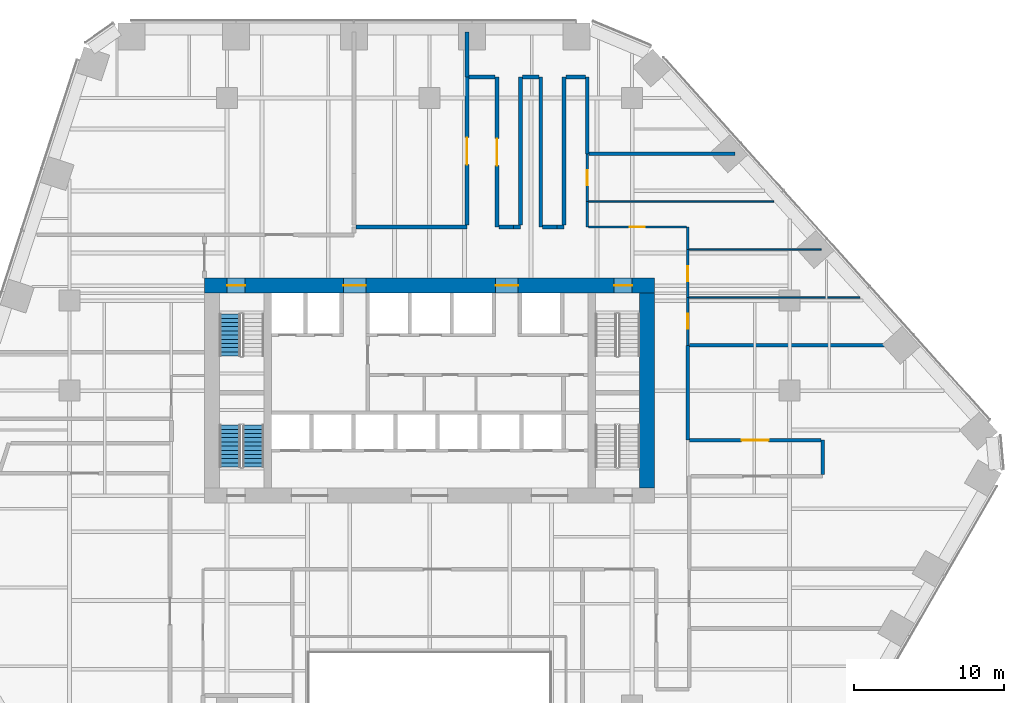
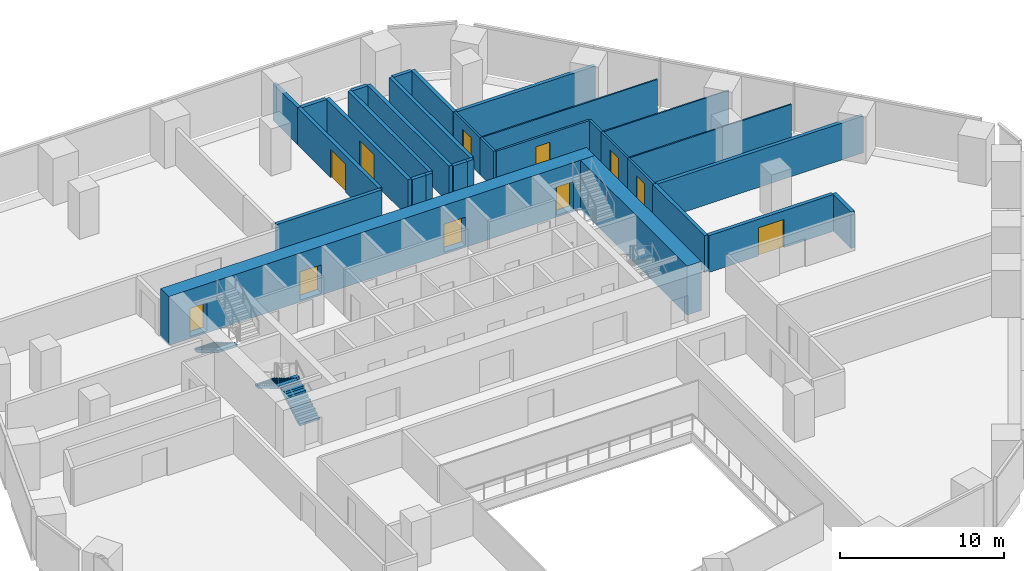
# One storey, part 16 of 21: 31 walls, 11 doors, 3 stair flights, 11 openings, 2 elements without a shape of their own.
"""IFC4 building model written with IfcOpenShell, lengths in metres."""

from ifc_helpers import new_model, si_unit, direction, frame, frame_2d, origin, place, context, subcontext, project, spatial, polyline, rectangle, outline, extrude, material, layer, layer_set, type_object, element, fill, aggregate, save


model = new_model("IFC4")

# Units and contexts
model_context = context("Model", 3, precision=1e-05, world=origin(), true_north=direction((0.0, 1.0)))
body_context = subcontext(model_context, "Body", "Model", "MODEL_VIEW")
ifc_project = project(units=[si_unit("LENGTHUNIT", "METRE"), si_unit("AREAUNIT", "SQUARE_METRE"), si_unit("VOLUMEUNIT", "CUBIC_METRE"), si_unit("PLANEANGLEUNIT", "RADIAN"), si_unit("MASSUNIT", "GRAM", prefix="KILO")], contexts=[model_context])

# Site, building, storey
site_placement = place(None, origin())
site = spatial("IfcSite", under=ifc_project, at=site_placement, CompositionType="ELEMENT")
building_placement = place(site_placement, origin())
building = spatial("IfcBuilding", under=site, at=building_placement, Name="Isthmus Gate Tower", CompositionType="ELEMENT")
storey_placement = place(building_placement, frame((0.0, 0.0, 50.60009765625)))
storey = spatial("IfcBuildingStorey", under=building, at=storey_placement, Name="L10", CompositionType="ELEMENT", Elevation=50.60009765625)

# Wall, opening, door
ifc_material_1 = material(Name="Double-leaf acoustic stud wall, fire-rated", Category="gypsum")
ifc_layer_1 = layer(ifc_material_1, 0.25)
ifc_layer_set_1 = layer_set([ifc_layer_1], Name="ACOUSTIC WALL 250 60 MIN")
wall_type_1 = type_object("IfcWallType", Name="ACOUSTIC WALL 250 60 MIN", PredefinedType="PARTITIONING", material=ifc_layer_set_1)
wall_1_placement = place(storey_placement, frame((4.5, 28.39990234375, 0.0), z_axis=(0.0, 0.0, 1.0), x_axis=(0.0, -1.0, 0.0)))
wall_1 = element("IfcWall", 1, at=wall_1_placement, inside=storey, type_object=wall_type_1, Name="L10 Acoustic Wall 250 60 Min", PredefinedType="PARTITIONING", context=body_context, shape_type="SweptSolid", body=[
    extrude(rectangle(XDim=10.0, YDim=0.25, at=frame_2d((5.0, 0.0))), origin(), (0.0, 0.0, 1.0), 2.7412109375),
])
opening_1_placement = place(wall_1_placement, frame((4.10009765625, 0.0, 0.0)))
opening_1 = element("IfcOpeningElement", 2, at=opening_1_placement, cuts=wall_1, Name="Opening DT-T1B-03", PredefinedType="OPENING", context=body_context, shape_type="SweptSolid", body=[
    extrude(rectangle(XDim=1.800048828125, YDim=2.10009765625, at=frame_2d((0.89990234375, 1.050048828125))), frame((0.0, 0.135009765625, 0.0), z_axis=(0.0, -1.0, 0.0), x_axis=(1.0, 0.0, 0.0)), (0.0, 0.0, 1.0), 0.27001953125),
])
ifc_material_2 = material(Name="Solid core timber door leaf, fire-rated", Category="wood")
door_type_1 = type_object("IfcDoorType", Name="FIRE DOOR ACOUSTIC ROOM 1800 X 2100 60 MIN", OperationType="DOUBLE_DOOR_DOUBLE_SWING", PredefinedType="DOOR", material=ifc_material_2)
door_1_placement = place(opening_1_placement, origin())
door_1 = element("IfcDoor", 3, at=door_1_placement, inside=storey, type_object=door_type_1, Name="L10 room door", OperationType="DOUBLE_DOOR_DOUBLE_SWING", OverallHeight=2.10009765625, OverallWidth=1.800048828125, PredefinedType="DOOR", context=body_context, shape_type="SweptSolid", body=[
    extrude(rectangle(XDim=1.800048828125, YDim=2.10009765625, at=frame_2d((0.89990234375, 1.050048828125))), frame((0.0, 0.02490234375, 0.0), z_axis=(0.0, -1.0, 0.0), x_axis=(1.0, 0.0, 0.0)), (0.0, 0.0, 1.0), 0.050048828125),
])
fill(opening_1, door_1)

# Walls
wall_2_placement = place(storey_placement, frame((7.39990234375, 28.39990234375, 0.0), z_axis=(0.0, 0.0, 1.0), x_axis=(0.0, -1.0, 0.0)))
element("IfcWall", 4, at=wall_2_placement, inside=storey, type_object=wall_type_1, Name="L10 Acoustic Wall 250 60 Min", PredefinedType="PARTITIONING", context=body_context, shape_type="SweptSolid", body=[
    extrude(rectangle(XDim=10.0, YDim=0.25, at=frame_2d((5.0, 0.0))), origin(), (0.0, 0.0, 1.0), 2.7412109375),
])
wall_3_placement = place(storey_placement, frame((10.5, 28.39990234375, 0.0), z_axis=(0.0, 0.0, 1.0), x_axis=(0.0, -1.0, 0.0)))
element("IfcWall", 5, at=wall_3_placement, inside=storey, type_object=wall_type_1, Name="L10 Acoustic Wall 250 60 Min", PredefinedType="PARTITIONING", context=body_context, shape_type="SweptSolid", body=[
    extrude(rectangle(XDim=5.116943359375, YDim=0.25, at=frame_2d((2.55859375, 0.0))), origin(), (0.0, 0.0, 1.0), 2.7412109375),
])
wall_4_placement = place(storey_placement, frame((17.199951171875, 10.51708984375, 0.0), z_axis=(0.0, 0.0, 1.0), x_axis=(0.0, -1.0, 0.0)))
element("IfcWall", 6, at=wall_4_placement, inside=storey, type_object=wall_type_1, Name="L10 Acoustic Wall 250 60 Min", PredefinedType="PARTITIONING", context=body_context, shape_type="SweptSolid", body=[
    extrude(rectangle(XDim=6.317138671875, YDim=0.25, at=frame_2d((3.15869140625, 0.0))), origin(), (0.0, 0.0, 1.0), 2.7412109375),
])
wall_5_placement = place(storey_placement, frame((26.199951171875, 4.199951171875, 0.0), z_axis=(0.0, 0.0, 1.0), x_axis=(0.0, -1.0, 0.0)))
element("IfcWall", 7, at=wall_5_placement, inside=storey, type_object=wall_type_1, Name="L10 Acoustic Wall 250 60 Min", PredefinedType="PARTITIONING", context=body_context, shape_type="SweptSolid", body=[
    extrude(rectangle(XDim=2.27490234375, YDim=0.25, at=frame_2d((1.137451171875, 0.0))), origin(), (0.0, 0.0, 1.0), 2.7412109375),
])
wall_6_placement = place(storey_placement, frame((-4.909912109375, 18.39990234375, 0.0), z_axis=(0.0, 0.0, 1.0), x_axis=(1.0, 0.0, 0.0)))
element("IfcWall", 8, at=wall_6_placement, inside=storey, type_object=wall_type_1, Name="L10 Acoustic Wall 250 60 Min", PredefinedType="PARTITIONING", context=body_context, shape_type="SweptSolid", body=[
    extrude(rectangle(XDim=7.409912109375, YDim=0.25, at=frame_2d((3.705078125, 0.0))), origin(), (0.0, 0.0, 1.0), 2.7412109375),
])

# Wall, opening, door
wall_7_placement = place(storey_placement, frame((2.5, 18.52490234375, 0.0), z_axis=(0.0, 0.0, 1.0), x_axis=(0.0, 1.0, 0.0)))
wall_7 = element("IfcWall", 9, at=wall_7_placement, inside=storey, type_object=wall_type_1, Name="L10 Acoustic Wall 250 60 Min", PredefinedType="PARTITIONING", context=body_context, shape_type="SweptSolid", body=[
    extrude(rectangle(XDim=9.875, YDim=0.25, at=frame_2d((4.9375, 0.0))), origin(), (0.0, 0.0, 1.0), 2.7412109375),
])
opening_2_placement = place(wall_7_placement, frame((4.03759765625, 0.0, 0.0)))
opening_2 = element("IfcOpeningElement", 10, at=opening_2_placement, cuts=wall_7, Name="Opening DT-T1B-02", PredefinedType="OPENING", context=body_context, shape_type="SweptSolid", body=[
    extrude(rectangle(XDim=1.800048828125, YDim=2.10009765625, at=frame_2d((0.89990234375, 1.050048828125))), frame((0.0, 0.135009765625, 0.0), z_axis=(0.0, -1.0, 0.0), x_axis=(1.0, 0.0, 0.0)), (0.0, 0.0, 1.0), 0.27001953125),
])
door_2_placement = place(opening_2_placement, origin())
door_2 = element("IfcDoor", 11, at=door_2_placement, inside=storey, type_object=door_type_1, Name="L10 room door", OperationType="DOUBLE_DOOR_DOUBLE_SWING", OverallHeight=2.10009765625, OverallWidth=1.800048828125, PredefinedType="DOOR", context=body_context, shape_type="SweptSolid", body=[
    extrude(rectangle(XDim=1.800048828125, YDim=2.10009765625, at=frame_2d((0.89990234375, 1.050048828125))), frame((0.0, 0.02490234375, 0.0), z_axis=(0.0, -1.0, 0.0), x_axis=(1.0, 0.0, 0.0)), (0.0, 0.0, 1.0), 0.050048828125),
])
fill(opening_2, door_2)

# Walls
wall_8_placement = place(storey_placement, frame((2.498046875, 28.39990234375, 0.0), z_axis=(0.0, 0.0, 1.0), x_axis=(0.0, 1.0, 0.0)))
element("IfcWall", 12, at=wall_8_placement, inside=storey, type_object=wall_type_1, Name="L10 Acoustic Wall 250 60 Min", PredefinedType="PARTITIONING", context=body_context, shape_type="SweptSolid", body=[
    extrude(rectangle(XDim=3.0, YDim=0.25, at=frame_2d((1.5, 0.0))), origin(), (0.0, 0.0, 1.0), 2.7412109375),
])
wall_9_placement = place(storey_placement, frame((2.625, 28.39990234375, 0.0), z_axis=(0.0, 0.0, 1.0), x_axis=(1.0, 0.0, 0.0)))
element("IfcWall", 13, at=wall_9_placement, inside=storey, type_object=wall_type_1, Name="L10 Acoustic Wall 250 60 Min", PredefinedType="PARTITIONING", context=body_context, shape_type="SweptSolid", body=[
    extrude(rectangle(XDim=1.75, YDim=0.25, at=frame_2d((0.875, 0.0))), origin(), (0.0, 0.0, 1.0), 2.7412109375),
])
wall_10_placement = place(storey_placement, frame((4.625, 18.39990234375, 0.0), z_axis=(0.0, 0.0, 1.0), x_axis=(1.0, 0.0, 0.0)))
element("IfcWall", 14, at=wall_10_placement, inside=storey, type_object=wall_type_1, Name="L10 Acoustic Wall 250 60 Min", PredefinedType="PARTITIONING", context=body_context, shape_type="SweptSolid", body=[
    extrude(rectangle(XDim=0.972900390625, YDim=0.25, at=frame_2d((0.486328125, 0.0))), origin(), (0.0, 0.0, 1.0), 2.7412109375),
])
wall_11_placement = place(storey_placement, frame((5.597900390625, 18.39794921875, 0.0), z_axis=(0.0, 0.0, 1.0), x_axis=(1.0, 0.0, 0.0)))
element("IfcWall", 15, at=wall_11_placement, inside=storey, type_object=wall_type_1, Name="L10 Acoustic Wall 250 60 Min", PredefinedType="PARTITIONING", context=body_context, shape_type="SweptSolid", body=[
    extrude(rectangle(XDim=0.4541015625, YDim=0.25, at=frame_2d((0.22705078125, 0.0))), origin(), (0.0, 0.0, 1.0), 2.7412109375),
])
wall_12_placement = place(storey_placement, frame((6.052001953125, 18.52294921875, 0.0), z_axis=(0.0, 0.0, 1.0), x_axis=(0.0, 1.0, 0.0)))
element("IfcWall", 16, at=wall_12_placement, inside=storey, type_object=wall_type_1, Name="L10 Acoustic Wall 250 60 Min", PredefinedType="PARTITIONING", context=body_context, shape_type="SweptSolid", body=[
    extrude(rectangle(XDim=9.876953125, YDim=0.25, at=frame_2d((4.9384765625, 0.0))), origin(), (0.0, 0.0, 1.0), 2.7412109375),
])
wall_13_placement = place(storey_placement, frame((6.177001953125, 28.39990234375, 0.0), z_axis=(0.0, 0.0, 1.0), x_axis=(1.0, 0.0, 0.0)))
element("IfcWall", 17, at=wall_13_placement, inside=storey, type_object=wall_type_1, Name="L10 Acoustic Wall 250 60 Min", PredefinedType="PARTITIONING", context=body_context, shape_type="SweptSolid", body=[
    extrude(rectangle(XDim=1.097900390625, YDim=0.25, at=frame_2d((0.548828125, 0.0))), origin(), (0.0, 0.0, 1.0), 2.7412109375),
])
wall_14_placement = place(storey_placement, frame((7.52490234375, 18.39990234375, 0.0), z_axis=(0.0, 0.0, 1.0), x_axis=(1.0, 0.0, 0.0)))
element("IfcWall", 18, at=wall_14_placement, inside=storey, type_object=wall_type_1, Name="L10 Acoustic Wall 250 60 Min", PredefinedType="PARTITIONING", context=body_context, shape_type="SweptSolid", body=[
    extrude(rectangle(XDim=0.97314453125, YDim=0.25, at=frame_2d((0.486572265625, 0.0))), origin(), (0.0, 0.0, 1.0), 2.7412109375),
])
wall_15_placement = place(storey_placement, frame((8.498046875, 18.39794921875, 0.0), z_axis=(0.0, 0.0, 1.0), x_axis=(1.0, 0.0, 0.0)))
element("IfcWall", 19, at=wall_15_placement, inside=storey, type_object=wall_type_1, Name="L10 Acoustic Wall 250 60 Min", PredefinedType="PARTITIONING", context=body_context, shape_type="SweptSolid", body=[
    extrude(rectangle(XDim=0.453857421875, YDim=0.25, at=frame_2d((0.22705078125, 0.0))), origin(), (0.0, 0.0, 1.0), 2.7412109375),
])
wall_16_placement = place(storey_placement, frame((8.951904296875, 18.52294921875, 0.0), z_axis=(0.0, 0.0, 1.0), x_axis=(0.0, 1.0, 0.0)))
element("IfcWall", 20, at=wall_16_placement, inside=storey, type_object=wall_type_1, Name="L10 Acoustic Wall 250 60 Min", PredefinedType="PARTITIONING", context=body_context, shape_type="SweptSolid", body=[
    extrude(rectangle(XDim=9.876953125, YDim=0.25, at=frame_2d((4.9384765625, 0.0))), origin(), (0.0, 0.0, 1.0), 2.7412109375),
])
wall_17_placement = place(storey_placement, frame((9.076904296875, 28.39990234375, 0.0), z_axis=(0.0, 0.0, 1.0), x_axis=(1.0, 0.0, 0.0)))
element("IfcWall", 21, at=wall_17_placement, inside=storey, type_object=wall_type_1, Name="L10 Acoustic Wall 250 60 Min", PredefinedType="PARTITIONING", context=body_context, shape_type="SweptSolid", body=[
    extrude(rectangle(XDim=1.298095703125, YDim=0.25, at=frame_2d((0.64892578125, 0.0))), origin(), (0.0, 0.0, 1.0), 2.7412109375),
])
wall_18_placement = place(storey_placement, frame((10.625, 23.282958984375, 0.0), z_axis=(0.0, 0.0, 1.0), x_axis=(1.0, 0.0, 0.0)))
element("IfcWall", 22, at=wall_18_placement, inside=storey, type_object=wall_type_1, Name="L10 Acoustic Wall 250 60 Min", PredefinedType="PARTITIONING", context=body_context, shape_type="SweptSolid", body=[
    extrude(rectangle(XDim=9.721923828125, YDim=0.25, at=frame_2d((4.86083984375, 0.0))), origin(), (0.0, 0.0, 1.0), 2.7412109375),
])
wall_19_placement = place(storey_placement, frame((17.324951171875, 10.51708984375, 0.0), z_axis=(0.0, 0.0, 1.0), x_axis=(1.0, 0.0, 0.0)))
element("IfcWall", 23, at=wall_19_placement, inside=storey, type_object=wall_type_1, Name="L10 Acoustic Wall 250 60 Min", PredefinedType="PARTITIONING", context=body_context, shape_type="SweptSolid", body=[
    extrude(rectangle(XDim=14.51708984375, YDim=0.25, at=frame_2d((7.258544921875, 0.0))), origin(), (0.0, 0.0, 1.0), 2.7412109375),
])

# Wall, opening, door
wall_20_placement = place(storey_placement, frame((17.324951171875, 4.199951171875, 0.0), z_axis=(0.0, 0.0, 1.0), x_axis=(1.0, 0.0, 0.0)))
wall_20 = element("IfcWall", 24, at=wall_20_placement, inside=storey, type_object=wall_type_1, Name="L10 Acoustic Wall 250 60 Min", PredefinedType="PARTITIONING", context=body_context, shape_type="SweptSolid", body=[
    extrude(rectangle(XDim=8.75, YDim=0.25, at=frame_2d((4.375, 0.0))), origin(), (0.0, 0.0, 1.0), 2.7412109375),
])
opening_3_placement = place(wall_20_placement, frame((3.47509765625, 0.0, 0.0)))
opening_3 = element("IfcOpeningElement", 25, at=opening_3_placement, cuts=wall_20, Name="Opening DT-T1B-11", PredefinedType="OPENING", context=body_context, shape_type="SweptSolid", body=[
    extrude(rectangle(XDim=1.800048828125, YDim=2.10009765625, at=frame_2d((0.89990234375, 1.050048828125))), frame((0.0, 0.135009765625, 0.0), z_axis=(0.0, -1.0, 0.0), x_axis=(1.0, 0.0, 0.0)), (0.0, 0.0, 1.0), 0.27001953125),
])
door_3_placement = place(opening_3_placement, origin())
door_3 = element("IfcDoor", 26, at=door_3_placement, inside=storey, type_object=door_type_1, Name="L10 room door", OperationType="DOUBLE_DOOR_DOUBLE_SWING", OverallHeight=2.10009765625, OverallWidth=1.800048828125, PredefinedType="DOOR", context=body_context, shape_type="SweptSolid", body=[
    extrude(rectangle(XDim=1.800048828125, YDim=2.10009765625, at=frame_2d((0.89990234375, 1.050048828125))), frame((0.0, 0.02490234375, 0.0), z_axis=(0.0, -1.0, 0.0), x_axis=(1.0, 0.0, 0.0)), (0.0, 0.0, 1.0), 0.050048828125),
])
fill(opening_3, door_3)

ifc_material_3 = material(Name="Gypsum board on steel studs, fire-rated", Category="steel")
ifc_layer_2 = layer(ifc_material_3, 0.14990234375)
ifc_layer_set_2 = layer_set([ifc_layer_2], Name="CORRIDOR WALL 150 60 MIN")
wall_type_2 = type_object("IfcWallType", Name="CORRIDOR WALL 150 60 MIN", PredefinedType="PARTITIONING", material=ifc_layer_set_2)
wall_21_placement = place(storey_placement, frame((10.5, 23.282958984375, 0.0), z_axis=(0.0, 0.0, 1.0), x_axis=(0.0, -1.0, 0.0)))
wall_21 = element("IfcWall", 27, at=wall_21_placement, inside=storey, type_object=wall_type_2, Name="L10 Corridor Wall 150 60 Min", PredefinedType="PARTITIONING", context=body_context, shape_type="SweptSolid", body=[
    extrude(rectangle(XDim=3.19091796875, YDim=0.14990234375, at=frame_2d((1.595458984375, 0.0))), origin(), (0.0, 0.0, 1.0), 2.7412109375),
])
opening_4_placement = place(wall_21_placement, frame((1.095458984375, 0.0, 0.0)))
opening_4 = element("IfcOpeningElement", 28, at=opening_4_placement, cuts=wall_21, Name="Opening DT-T1B-04", PredefinedType="OPENING", context=body_context, shape_type="SweptSolid", body=[
    extrude(rectangle(XDim=1.0, YDim=2.10009765625, at=frame_2d((0.5, 1.050048828125))), frame((0.0, 0.0849609375, 0.0), z_axis=(0.0, -1.0, 0.0), x_axis=(1.0, 0.0, 0.0)), (0.0, 0.0, 1.0), 0.169921875),
])
ifc_material_4 = material(Name="Solid core timber door leaf, fire-rated", Category="wood")
door_type_2 = type_object("IfcDoorType", Name="FIRE DOOR ROOM 1000 X 2100 60 MIN", OperationType="SINGLE_SWING_LEFT", PredefinedType="DOOR", material=ifc_material_4)
door_4_placement = place(opening_4_placement, origin())
door_4 = element("IfcDoor", 29, at=door_4_placement, inside=storey, type_object=door_type_2, Name="L10 room door", OperationType="SINGLE_SWING_RIGHT", OverallHeight=2.10009765625, OverallWidth=1.0, PredefinedType="DOOR", context=body_context, shape_type="SweptSolid", body=[
    extrude(rectangle(XDim=1.0, YDim=2.10009765625, at=frame_2d((0.5, 1.050048828125))), frame((0.0, 0.02490234375, 0.0), z_axis=(0.0, -1.0, 0.0), x_axis=(1.0, 0.0, 0.0)), (0.0, 0.0, 1.0), 0.050048828125),
])
fill(opening_4, door_4)

# Walls
wall_22_placement = place(storey_placement, frame((10.5, 20.092041015625, 0.0), z_axis=(0.0, 0.0, 1.0), x_axis=(0.0, -1.0, 0.0)))
element("IfcWall", 30, at=wall_22_placement, inside=storey, type_object=wall_type_2, Name="L10 Corridor Wall 150 60 Min", PredefinedType="PARTITIONING", context=body_context, shape_type="SweptSolid", body=[
    extrude(rectangle(XDim=1.692138671875, YDim=0.14990234375, at=frame_2d((0.84619140625, 0.0))), origin(), (0.0, 0.0, 1.0), 2.7412109375),
])
wall_23_placement = place(storey_placement, frame((17.199951171875, 18.39990234375, 0.0), z_axis=(0.0, 0.0, 1.0), x_axis=(0.0, -1.0, 0.0)))
element("IfcWall", 31, at=wall_23_placement, inside=storey, type_object=wall_type_2, Name="L10 Corridor Wall 150 60 Min", PredefinedType="PARTITIONING", context=body_context, shape_type="SweptSolid", body=[
    extrude(rectangle(XDim=1.5, YDim=0.14990234375, at=frame_2d((0.75, 0.0))), origin(), (0.0, 0.0, 1.0), 2.7412109375),
])

# Wall, opening, door
wall_24_placement = place(storey_placement, frame((17.199951171875, 16.89990234375, 0.0), z_axis=(0.0, 0.0, 1.0), x_axis=(0.0, -1.0, 0.0)))
wall_24 = element("IfcWall", 32, at=wall_24_placement, inside=storey, type_object=wall_type_2, Name="L10 Corridor Wall 150 60 Min", PredefinedType="PARTITIONING", context=body_context, shape_type="SweptSolid", body=[
    extrude(rectangle(XDim=3.19091796875, YDim=0.14990234375, at=frame_2d((1.595458984375, 0.0))), origin(), (0.0, 0.0, 1.0), 2.7412109375),
])
opening_5_placement = place(wall_24_placement, frame((1.095458984375, 0.0, 0.0)))
opening_5 = element("IfcOpeningElement", 33, at=opening_5_placement, cuts=wall_24, Name="Opening DT-T1B-06", PredefinedType="OPENING", context=body_context, shape_type="SweptSolid", body=[
    extrude(rectangle(XDim=1.0, YDim=2.10009765625, at=frame_2d((0.5, 1.050048828125))), frame((0.0, 0.0849609375, 0.0), z_axis=(0.0, -1.0, 0.0), x_axis=(1.0, 0.0, 0.0)), (0.0, 0.0, 1.0), 0.169921875),
])
door_5_placement = place(opening_5_placement, origin())
door_5 = element("IfcDoor", 34, at=door_5_placement, inside=storey, type_object=door_type_2, Name="L10 room door", OperationType="SINGLE_SWING_RIGHT", OverallHeight=2.10009765625, OverallWidth=1.0, PredefinedType="DOOR", context=body_context, shape_type="SweptSolid", body=[
    extrude(rectangle(XDim=1.0, YDim=2.10009765625, at=frame_2d((0.5, 1.050048828125))), frame((0.0, 0.02490234375, 0.0), z_axis=(0.0, -1.0, 0.0), x_axis=(1.0, 0.0, 0.0)), (0.0, 0.0, 1.0), 0.050048828125),
])
fill(opening_5, door_5)

wall_25_placement = place(storey_placement, frame((17.199951171875, 13.708984375, 0.0), z_axis=(0.0, 0.0, 1.0), x_axis=(0.0, -1.0, 0.0)))
wall_25 = element("IfcWall", 35, at=wall_25_placement, inside=storey, type_object=wall_type_2, Name="L10 Corridor Wall 150 60 Min", PredefinedType="PARTITIONING", context=body_context, shape_type="SweptSolid", body=[
    extrude(rectangle(XDim=3.19189453125, YDim=0.14990234375, at=frame_2d((1.595947265625, 0.0))), origin(), (0.0, 0.0, 1.0), 2.7412109375),
])
opening_6_placement = place(wall_25_placement, frame((1.095947265625, 0.0, 0.0)))
opening_6 = element("IfcOpeningElement", 36, at=opening_6_placement, cuts=wall_25, Name="Opening DT-T1B-08", PredefinedType="OPENING", context=body_context, shape_type="SweptSolid", body=[
    extrude(rectangle(XDim=1.0, YDim=2.10009765625, at=frame_2d((0.5, 1.050048828125))), frame((0.0, 0.0849609375, 0.0), z_axis=(0.0, -1.0, 0.0), x_axis=(1.0, 0.0, 0.0)), (0.0, 0.0, 1.0), 0.169921875),
])
door_6_placement = place(opening_6_placement, origin())
door_6 = element("IfcDoor", 37, at=door_6_placement, inside=storey, type_object=door_type_2, Name="L10 room door", OperationType="SINGLE_SWING_RIGHT", OverallHeight=2.10009765625, OverallWidth=1.0, PredefinedType="DOOR", context=body_context, shape_type="SweptSolid", body=[
    extrude(rectangle(XDim=1.0, YDim=2.10009765625, at=frame_2d((0.5, 1.050048828125))), frame((0.0, 0.02490234375, 0.0), z_axis=(0.0, -1.0, 0.0), x_axis=(1.0, 0.0, 0.0)), (0.0, 0.0, 1.0), 0.050048828125),
])
fill(opening_6, door_6)

wall_26_placement = place(storey_placement, frame((10.574951171875, 18.39990234375, 0.0), z_axis=(0.0, 0.0, 1.0), x_axis=(1.0, 0.0, 0.0)))
wall_26 = element("IfcWall", 38, at=wall_26_placement, inside=storey, type_object=wall_type_2, Name="L10 Corridor Wall 150 60 Min", PredefinedType="PARTITIONING", context=body_context, shape_type="SweptSolid", body=[
    extrude(rectangle(XDim=6.550048828125, YDim=0.14990234375, at=frame_2d((3.27490234375, 0.0))), origin(), (0.0, 0.0, 1.0), 2.7412109375),
])
opening_7_placement = place(wall_26_placement, frame((2.77490234375, 0.0, 0.0)))
opening_7 = element("IfcOpeningElement", 39, at=opening_7_placement, cuts=wall_26, Name="Opening DT-T1B-05", PredefinedType="OPENING", context=body_context, shape_type="SweptSolid", body=[
    extrude(rectangle(XDim=1.0, YDim=2.10009765625, at=frame_2d((0.5, 1.050048828125))), frame((0.0, 0.0849609375, 0.0), z_axis=(0.0, -1.0, 0.0), x_axis=(1.0, 0.0, 0.0)), (0.0, 0.0, 1.0), 0.169921875),
])
door_7_placement = place(opening_7_placement, origin())
door_7 = element("IfcDoor", 40, at=door_7_placement, inside=storey, type_object=door_type_2, Name="L10 room door", OperationType="SINGLE_SWING_RIGHT", OverallHeight=2.10009765625, OverallWidth=1.0, PredefinedType="DOOR", context=body_context, shape_type="SweptSolid", body=[
    extrude(rectangle(XDim=1.0, YDim=2.10009765625, at=frame_2d((0.5, 1.050048828125))), frame((0.0, 0.02490234375, 0.0), z_axis=(0.0, -1.0, 0.0), x_axis=(1.0, 0.0, 0.0)), (0.0, 0.0, 1.0), 0.050048828125),
])
fill(opening_7, door_7)

# Wall, openings, doors
ifc_material_5 = material(Name="Concrete f'c 70 MPa", Category="concrete")
ifc_layer_3 = layer(ifc_material_5, 1.0)
ifc_layer_set_3 = layer_set([ifc_layer_3], Name="RC CORE WALL 1000 F'C 70")
wall_type_3 = type_object("IfcWallType", Name="RC CORE WALL 1000 F'C 70", PredefinedType="SOLIDWALL", material=ifc_layer_set_3)
wall_27_placement = place(storey_placement, frame((-15.0, 14.5, -0.150146484375), z_axis=(0.0, 0.0, 1.0), x_axis=(1.0, 0.0, 0.0)))
wall_27 = element("IfcWall", 41, at=wall_27_placement, inside=storey, type_object=wall_type_3, Name="str-corewall-L10-N", PredefinedType="SOLIDWALL", context=body_context, shape_type="SweptSolid", body=[
    extrude(rectangle(XDim=30.0, YDim=1.0, at=frame_2d((15.0, 0.0))), origin(), (0.0, 0.0, 1.0), 3.650146484375),
])
opening_8_placement = place(wall_27_placement, frame((9.25, 0.0, 0.14990234375)))
opening_8 = element("IfcOpeningElement", 42, at=opening_8_placement, cuts=wall_27, Name="Opening DC-A03-11", PredefinedType="OPENING", context=body_context, shape_type="SweptSolid", body=[
    extrude(rectangle(XDim=1.5, YDim=2.10009765625, at=frame_2d((0.75, 1.050048828125))), frame((0.0, 0.510009765625, 0.0), z_axis=(0.0, -1.0, 0.0), x_axis=(1.0, 0.0, 0.0)), (0.0, 0.0, 1.0), 1.02001953125),
])
opening_9_placement = place(wall_27_placement, frame((19.39990234375, 0.0, 0.14990234375)))
opening_9 = element("IfcOpeningElement", 43, at=opening_9_placement, cuts=wall_27, Name="Opening DC-A03-12", PredefinedType="OPENING", context=body_context, shape_type="SweptSolid", body=[
    extrude(rectangle(XDim=1.5, YDim=2.10009765625, at=frame_2d((0.75, 1.050048828125))), frame((0.0, 0.510009765625, 0.0), z_axis=(0.0, -1.0, 0.0), x_axis=(1.0, 0.0, 0.0)), (0.0, 0.0, 1.0), 1.02001953125),
])
opening_10_placement = place(wall_27_placement, frame((1.5, 0.0, 0.14990234375)))
opening_10 = element("IfcOpeningElement", 44, at=opening_10_placement, cuts=wall_27, Name="Opening DC-A03-13", PredefinedType="OPENING", context=body_context, shape_type="SweptSolid", body=[
    extrude(rectangle(XDim=1.199951171875, YDim=2.10009765625, at=frame_2d((0.60009765625, 1.050048828125))), frame((0.0, 0.510009765625, 0.0), z_axis=(0.0, -1.0, 0.0), x_axis=(1.0, 0.0, 0.0)), (0.0, 0.0, 1.0), 1.02001953125),
])
opening_11_placement = place(wall_27_placement, frame((27.300048828125, 0.0, 0.14990234375)))
opening_11 = element("IfcOpeningElement", 45, at=opening_11_placement, cuts=wall_27, Name="Opening DC-A03-14", PredefinedType="OPENING", context=body_context, shape_type="SweptSolid", body=[
    extrude(rectangle(XDim=1.199951171875, YDim=2.10009765625, at=frame_2d((0.60009765625, 1.050048828125))), frame((0.0, 0.510009765625, 0.0), z_axis=(0.0, -1.0, 0.0), x_axis=(1.0, 0.0, 0.0)), (0.0, 0.0, 1.0), 1.02001953125),
])
ifc_material_6 = material(Name="Steel door leaf, fire-rated", Category="steel")
door_type_3 = type_object("IfcDoorType", Name="LOBBY FIRE DOOR 1500 X 2100 60 MIN", OperationType="DOUBLE_DOOR_SINGLE_SWING", PredefinedType="DOOR", material=ifc_material_6)
door_8_placement = place(opening_9_placement, origin())
door_8 = element("IfcDoor", 46, at=door_8_placement, inside=storey, type_object=door_type_3, Name="Lobby Door PN-E", OperationType="DOUBLE_DOOR_SINGLE_SWING", OverallHeight=2.10009765625, OverallWidth=1.5, PredefinedType="DOOR", context=body_context, shape_type="SweptSolid", body=[
    extrude(rectangle(XDim=1.5, YDim=2.10009765625, at=frame_2d((0.75, 1.050048828125))), frame((0.0, 0.02490234375, 0.0), z_axis=(0.0, -1.0, 0.0), x_axis=(1.0, 0.0, 0.0)), (0.0, 0.0, 1.0), 0.050048828125),
])
fill(opening_9, door_8)
ifc_material_7 = material(Name="Steel door leaf, fire-rated", Category="steel")
door_type_4 = type_object("IfcDoorType", Name="LOBBY FIRE DOOR 1500 X 2100 90 MIN", OperationType="DOUBLE_DOOR_SINGLE_SWING", PredefinedType="DOOR", material=ifc_material_7)
door_9_placement = place(opening_8_placement, origin())
door_9 = element("IfcDoor", 47, at=door_9_placement, inside=storey, type_object=door_type_4, Name="Lobby Door PN-W", OperationType="DOUBLE_DOOR_SINGLE_SWING", OverallHeight=2.10009765625, OverallWidth=1.5, PredefinedType="DOOR", context=body_context, shape_type="SweptSolid", body=[
    extrude(rectangle(XDim=1.5, YDim=2.10009765625, at=frame_2d((0.75, 1.050048828125))), frame((0.0, 0.02490234375, 0.0), z_axis=(0.0, -1.0, 0.0), x_axis=(1.0, 0.0, 0.0)), (0.0, 0.0, 1.0), 0.050048828125),
])
fill(opening_8, door_9)
ifc_material_8 = material(Name="Steel door leaf, fire-rated", Category="steel")
door_type_5 = type_object("IfcDoorType", Name="STAIR FIRE DOOR 1200 X 2100 90 MIN", OperationType="SINGLE_SWING_LEFT", PredefinedType="DOOR", material=ifc_material_8)
door_10_placement = place(opening_10_placement, origin())
door_10 = element("IfcDoor", 48, at=door_10_placement, inside=storey, type_object=door_type_5, Name="Exit Stair 1 Door", OperationType="SINGLE_SWING_RIGHT", OverallHeight=2.10009765625, OverallWidth=1.199951171875, PredefinedType="DOOR", context=body_context, shape_type="SweptSolid", body=[
    extrude(rectangle(XDim=1.199951171875, YDim=2.10009765625, at=frame_2d((0.60009765625, 1.050048828125))), frame((0.0, 0.02490234375, 0.0), z_axis=(0.0, -1.0, 0.0), x_axis=(1.0, 0.0, 0.0)), (0.0, 0.0, 1.0), 0.050048828125),
])
fill(opening_10, door_10)
door_11_placement = place(opening_11_placement, origin())
door_11 = element("IfcDoor", 49, at=door_11_placement, inside=storey, type_object=door_type_5, Name="Exit Stair 2 Door", OperationType="SINGLE_SWING_LEFT", OverallHeight=2.10009765625, OverallWidth=1.199951171875, PredefinedType="DOOR", context=body_context, shape_type="SweptSolid", body=[
    extrude(rectangle(XDim=1.199951171875, YDim=2.10009765625, at=frame_2d((0.60009765625, 1.050048828125))), frame((0.0, 0.02490234375, 0.0), z_axis=(0.0, -1.0, 0.0), x_axis=(1.0, 0.0, 0.0)), (0.0, 0.0, 1.0), 0.050048828125),
])
fill(opening_11, door_11)

# Walls
wall_28_placement = place(storey_placement, frame((14.5, 1.0, -0.150146484375), z_axis=(0.0, 0.0, 1.0), x_axis=(0.0, 1.0, 0.0)))
element("IfcWall", 50, at=wall_28_placement, inside=storey, type_object=wall_type_3, Name="str-corewall-L10-E", PredefinedType="SOLIDWALL", context=body_context, shape_type="SweptSolid", body=[
    extrude(rectangle(XDim=13.0, YDim=1.0, at=frame_2d((6.5, 0.0))), origin(), (0.0, 0.0, 1.0), 3.650146484375),
])
ifc_material_9 = material(Name="Gypsum board on steel studs, fire-rated", Category="steel")
ifc_layer_4 = layer(ifc_material_9, 0.10009765625)
ifc_layer_set_4 = layer_set([ifc_layer_4], Name="ROOM PARTITION 100 30 MIN")
wall_type_4 = type_object("IfcWallType", Name="ROOM PARTITION 100 30 MIN", PredefinedType="PARTITIONING", material=ifc_layer_set_4)
wall_29_placement = place(storey_placement, frame((10.574951171875, 20.092041015625, 0.0), z_axis=(0.0, 0.0, 1.0), x_axis=(1.0, 0.0, 0.0)))
element("IfcWall", 51, at=wall_29_placement, inside=storey, type_object=wall_type_4, Name="L10 Room Partition 100 30 Min", PredefinedType="PARTITIONING", context=body_context, shape_type="SweptSolid", body=[
    extrude(rectangle(XDim=12.345947265625, YDim=0.10009765625, at=frame_2d((6.1728515625, 0.0))), origin(), (0.0, 0.0, 1.0), 2.7412109375),
])
wall_30_placement = place(storey_placement, frame((17.27490234375, 16.89990234375, 0.0), z_axis=(0.0, 0.0, 1.0), x_axis=(1.0, 0.0, 0.0)))
element("IfcWall", 52, at=wall_30_placement, inside=storey, type_object=wall_type_4, Name="L10 Room Partition 100 30 Min", PredefinedType="PARTITIONING", context=body_context, shape_type="SweptSolid", body=[
    extrude(rectangle(XDim=8.820068359375, YDim=0.10009765625, at=frame_2d((4.41015625, 0.0))), origin(), (0.0, 0.0, 1.0), 2.7412109375),
])
wall_31_placement = place(storey_placement, frame((17.27490234375, 13.708984375, 0.0), z_axis=(0.0, 0.0, 1.0), x_axis=(1.0, 0.0, 0.0)))
element("IfcWall", 53, at=wall_31_placement, inside=storey, type_object=wall_type_4, Name="L10 Room Partition 100 30 Min", PredefinedType="PARTITIONING", context=body_context, shape_type="SweptSolid", body=[
    extrude(rectangle(XDim=11.39306640625, YDim=0.10009765625, at=frame_2d((5.696533203125, 0.0))), origin(), (0.0, 0.0, 1.0), 2.7412109375),
])

# Stair, stair flight
ifc_material_10 = material(Name="Concrete f'c 40 MPa", Category="concrete")
stair_type = type_object("IfcStairType", Name="CORE STAIR 22 RISERS", PredefinedType="HALF_TURN_STAIR", material=ifc_material_10)
stair_1_placement = place(storey_placement, origin())
stair_1 = element("IfcStair", 54, at=stair_1_placement, inside=storey, type_object=stair_type, Name="L10 Exit Stair 1", PredefinedType="HALF_TURN_STAIR")
ifc_material_11 = material(Name="Concrete f'c 40 MPa", Category="concrete")
stair_flight_type = type_object("IfcStairFlightType", Name="STAIR FLIGHT RC 1400", PredefinedType="STRAIGHT", material=ifc_material_11)
stair_flight_1_placement = place(storey_placement, frame((-13.300048828125, 12.60009765625, 0.0), z_axis=(0.0, 0.0, 1.0), x_axis=(0.0, -1.0, 0.0)))
stair_flight_1 = element("IfcStairFlight", 55, at=stair_flight_1_placement, type_object=stair_flight_type, Name="ST1 flight 1", NumberOfRisers=11, NumberOfTreads=10, PredefinedType="STRAIGHT", RiserHeight=0.165909091, TreadLength=0.28, context=body_context, shape_type="SweptSolid", body=[
    extrude(outline(polyline([(0.0, 0.0), (0.0, 0.166015625), (0.280029296875, 0.166015625), (0.280029296875, 0.331787109375), (0.56005859375, 0.331787109375), (0.56005859375, 0.497802734375), (0.840087890625, 0.497802734375), (0.840087890625, 0.66357421875), (1.1201171875, 0.66357421875), (1.1201171875, 0.82958984375), (1.39990234375, 0.82958984375), (1.39990234375, 0.995361328125), (1.679931640625, 0.995361328125), (1.679931640625, 1.161376953125), (1.9599609375, 1.161376953125), (1.9599609375, 1.327392578125), (2.239990234375, 1.327392578125), (2.239990234375, 1.4931640625), (2.52001953125, 1.4931640625), (2.52001953125, 1.6591796875), (2.800048828125, 1.6591796875), (2.800048828125, 1.824951171875), (2.800048828125, 1.48486328125), (0.2939453125, 0.0), (0.0, 0.0)])), frame((0.0, 0.699951171875, 0.0), z_axis=(0.0, -1.0, 0.0), x_axis=(1.0, 0.0, 0.0)), (0.0, 0.0, 1.0), 1.39990234375),
])
aggregate(stair_1, [stair_flight_1])

# Stair, stair flights
stair_2_placement = place(storey_placement, origin())
stair_2 = element("IfcStair", 56, at=stair_2_placement, inside=storey, type_object=stair_type, Name="L10 Exit Stair 7", PredefinedType="HALF_TURN_STAIR")
stair_flight_2_placement = place(storey_placement, frame((-11.75, 2.39990234375, 0.0), z_axis=(0.0, 0.0, 1.0), x_axis=(0.0, 1.0, 0.0)))
stair_flight_2 = element("IfcStairFlight", 57, at=stair_flight_2_placement, type_object=stair_flight_type, Name="ST7 flight 1", NumberOfRisers=11, NumberOfTreads=10, PredefinedType="STRAIGHT", RiserHeight=0.165909091, TreadLength=0.28, context=body_context, shape_type="SweptSolid", body=[
    extrude(outline(polyline([(0.0, 0.0), (0.0, 0.166015625), (0.280029296875, 0.166015625), (0.280029296875, 0.331787109375), (0.56005859375, 0.331787109375), (0.56005859375, 0.497802734375), (0.840087890625, 0.497802734375), (0.840087890625, 0.66357421875), (1.1201171875, 0.66357421875), (1.1201171875, 0.82958984375), (1.39990234375, 0.82958984375), (1.39990234375, 0.995361328125), (1.679931640625, 0.995361328125), (1.679931640625, 1.161376953125), (1.9599609375, 1.161376953125), (1.9599609375, 1.327392578125), (2.239990234375, 1.327392578125), (2.239990234375, 1.4931640625), (2.52001953125, 1.4931640625), (2.52001953125, 1.6591796875), (2.800048828125, 1.6591796875), (2.800048828125, 1.824951171875), (2.800048828125, 1.48486328125), (0.2939453125, 0.0), (0.0, 0.0)])), frame((0.0, 0.699951171875, 0.0), z_axis=(0.0, -1.0, 0.0), x_axis=(1.0, 0.0, 0.0)), (0.0, 0.0, 1.0), 1.39990234375),
])
stair_flight_3_placement = place(storey_placement, frame((-13.300048828125, 5.199951171875, 1.824951171875), z_axis=(0.0, 0.0, 1.0), x_axis=(0.0, -1.0, 0.0)))
stair_flight_3 = element("IfcStairFlight", 58, at=stair_flight_3_placement, type_object=stair_flight_type, Name="ST7 flight 2", NumberOfRisers=11, NumberOfTreads=10, PredefinedType="STRAIGHT", RiserHeight=0.165909091, TreadLength=0.28, context=body_context, shape_type="SweptSolid", body=[
    extrude(outline(polyline([(0.0, 0.0), (0.0, 0.166015625), (0.280029296875, 0.166015625), (0.280029296875, 0.331787109375), (0.56005859375, 0.331787109375), (0.56005859375, 0.497802734375), (0.840087890625, 0.497802734375), (0.840087890625, 0.66357421875), (1.1201171875, 0.66357421875), (1.1201171875, 0.82958984375), (1.39990234375, 0.82958984375), (1.39990234375, 0.995361328125), (1.679931640625, 0.995361328125), (1.679931640625, 1.161376953125), (1.9599609375, 1.161376953125), (1.9599609375, 1.327392578125), (2.239990234375, 1.327392578125), (2.239990234375, 1.4931640625), (2.52001953125, 1.4931640625), (2.52001953125, 1.6591796875), (2.800048828125, 1.6591796875), (2.800048828125, 1.824951171875), (2.800048828125, 1.48486328125), (0.2939453125, 0.0), (0.0, 0.0)])), frame((0.0, 0.699951171875, 0.0), z_axis=(0.0, -1.0, 0.0), x_axis=(1.0, 0.0, 0.0)), (0.0, 0.0, 1.0), 1.39990234375),
])
aggregate(stair_2, [stair_flight_2, stair_flight_3])

save(model, "model.ifc")
